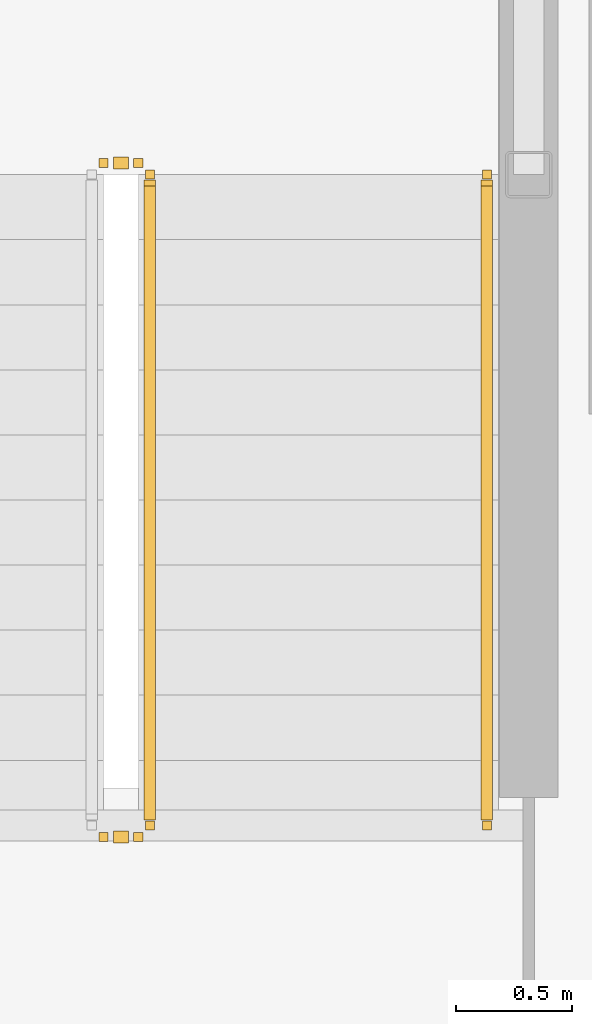
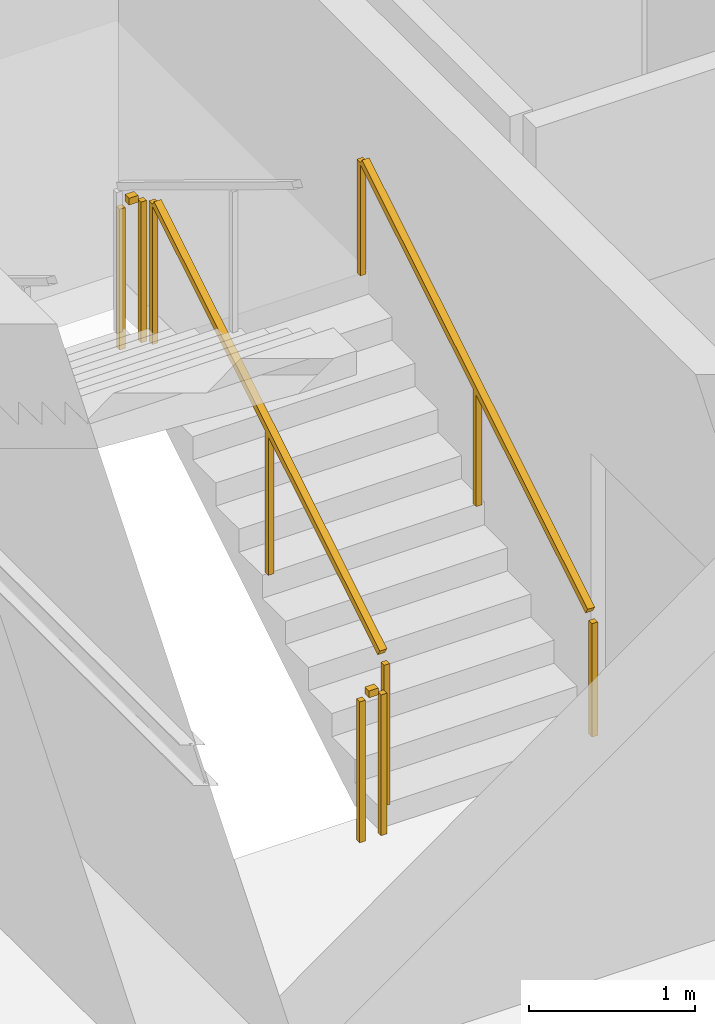
# One storey, part 18 of 23: 4 railings.
"""IFC4 building model written with IfcOpenShell, lengths in metres."""

from ifc_helpers import new_model, si_unit, direction, frame, origin, origin_2d, place, context, subcontext, project, spatial, rectangle, extrude, material, type_object, element, save


model = new_model("IFC4")

# Units and contexts
model_context = context("Model", 3, precision=1e-05, world=origin(), true_north=direction((0.0, 1.0)))
body_context = subcontext(model_context, "Body", "Model", "MODEL_VIEW")
ifc_project = project(units=[si_unit("LENGTHUNIT", "METRE"), si_unit("AREAUNIT", "SQUARE_METRE"), si_unit("VOLUMEUNIT", "CUBIC_METRE"), si_unit("PLANEANGLEUNIT", "RADIAN"), si_unit("MASSUNIT", "GRAM", prefix="KILO")], contexts=[model_context])

# Site, building, storey
site_placement = place(None, origin())
site = spatial("IfcSite", under=ifc_project, at=site_placement, CompositionType="ELEMENT")
building_placement = place(site_placement, origin())
building = spatial("IfcBuilding", under=site, at=building_placement, Name="Kazma Halo Residences", CompositionType="ELEMENT")
storey_placement = place(building_placement, frame((0.0, 0.0, 97.64990234375)))
storey = spatial("IfcBuildingStorey", under=building, at=storey_placement, Name="L24", CompositionType="ELEMENT", Elevation=97.64990234375)

# Railings
ifc_material_1 = material(Name="Painted Steel S355", Category="steel")
railing_type_1 = type_object("IfcRailingType", Name="RLG-STAIR-GRD-1100", PredefinedType="GUARDRAIL", material=ifc_material_1)
railing_1_placement = place(storey_placement, frame((39.550048828125, 39.949951171875, 0.170654296875)))
element("IfcRailing", 1, at=railing_1_placement, inside=storey, type_object=railing_type_1, Name="L24 ST-01 stair guard 1", PredefinedType="GUARDRAIL", context=body_context, shape_type="SweptSolid", body=[
    extrude(rectangle(XDim=0.050048828125, YDim=0.050048828125, at=origin_2d()), frame((0.0, 0.036376953125, 1.09716796875), z_axis=(0.0, 0.854202870247, 0.519939858505), x_axis=(-1.0, 0.0, 0.0)), (0.0, 0.0, 1.0), 3.19287109375),
    extrude(rectangle(XDim=0.0400390625, YDim=0.0400390625, at=origin_2d()), origin(), (0.0, 0.0, 1.0), 1.0380859375),
    extrude(rectangle(XDim=0.0400390625, YDim=0.0400390625, at=origin_2d()), frame((0.0, 1.39990234375, 0.85205078125)), (0.0, 0.0, 1.0), 1.0380859375),
    extrude(rectangle(XDim=0.0400390625, YDim=0.0400390625, at=origin_2d()), frame((0.0, 2.800048828125, 1.704345703125)), (0.0, 0.0, 1.0), 1.0380859375),
])
for number, where, name in (
    (2, (39.5, 42.800048828125, 1.875), "L24 ST-01 stair guard 2"),
    (3, (39.5, 39.89990234375, 0.0), "L24 ST-01 stair guard 4"),
):
    element("IfcRailing", number, at=place(storey_placement, frame(where)), inside=storey, type_object=railing_type_1, Name=name, PredefinedType="GUARDRAIL", context=body_context, shape_type="SweptSolid", body=[
        extrude(rectangle(XDim=0.050048828125, YDim=0.050048828125, at=origin_2d()), frame((-0.04248046875, 0.0, 1.0751953125), z_axis=(-1.0, 0.0, 0.0), x_axis=(0.0, -1.0, 0.0)), (0.0, 0.0, 1.0), 0.06494140625),
        extrude(rectangle(XDim=0.0400390625, YDim=0.0400390625, at=origin_2d()), origin(), (0.0, 0.0, 1.0), 1.0380859375),
        extrude(rectangle(XDim=0.0400390625, YDim=0.0400390625, at=origin_2d()), frame((-0.14990234375, 0.0, 0.0)), (0.0, 0.0, 1.0), 1.0380859375),
    ])
ifc_material_2 = material(Name="Brushed Stainless Steel", Category="steel")
railing_type_2 = type_object("IfcRailingType", Name="RLG-STAIR-HND-900", PredefinedType="HANDRAIL", material=ifc_material_2)
railing_2_placement = place(storey_placement, frame((41.0, 39.949951171875, 0.170654296875)))
element("IfcRailing", 4, at=railing_2_placement, inside=storey, type_object=railing_type_2, Name="L24 ST-01 stair handrail 1", PredefinedType="HANDRAIL", context=body_context, shape_type="SweptSolid", body=[
    extrude(rectangle(XDim=0.050048828125, YDim=0.050048828125, at=origin_2d()), frame((0.0, 0.036376953125, 0.89697265625), z_axis=(0.0, 0.854202870247, 0.519939858505), x_axis=(-1.0, 0.0, 0.0)), (0.0, 0.0, 1.0), 3.19287109375),
    extrude(rectangle(XDim=0.0400390625, YDim=0.0400390625, at=origin_2d()), origin(), (0.0, 0.0, 1.0), 0.837890625),
    extrude(rectangle(XDim=0.0400390625, YDim=0.0400390625, at=origin_2d()), frame((0.0, 1.39990234375, 0.85205078125)), (0.0, 0.0, 1.0), 0.837890625),
    extrude(rectangle(XDim=0.0400390625, YDim=0.0400390625, at=origin_2d()), frame((0.0, 2.800048828125, 1.704345703125)), (0.0, 0.0, 1.0), 0.837890625),
])

save(model, "model.ifc")
